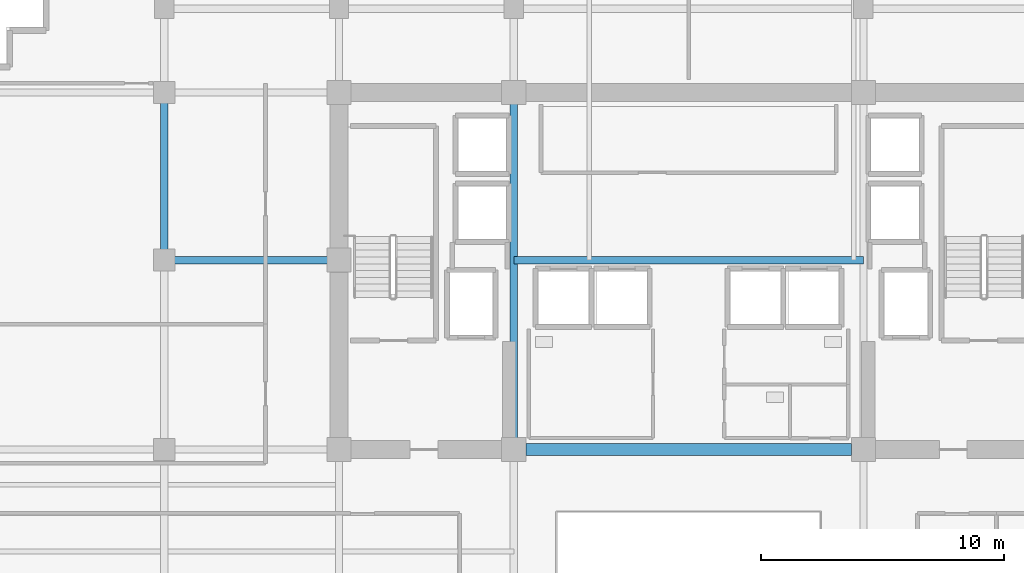
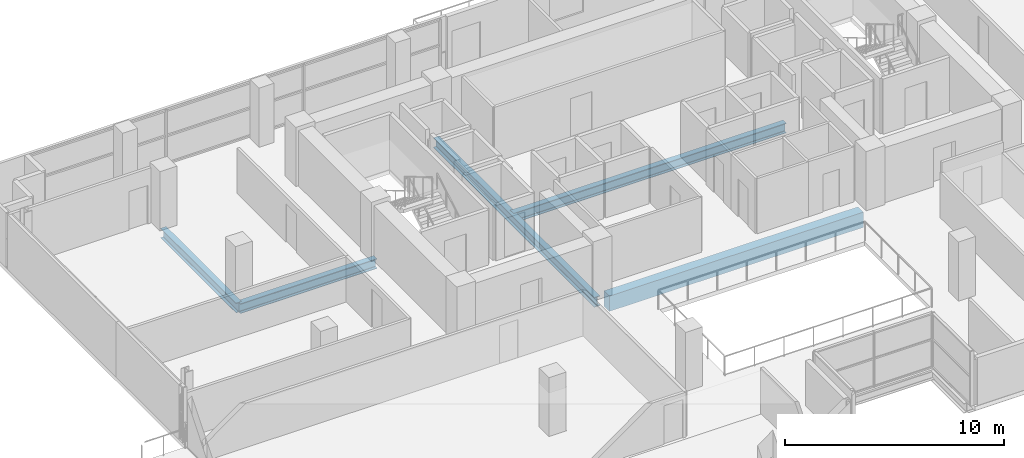
# One storey, part 9 of 28: 5 beams.
"""IFC4 building model written with IfcOpenShell, lengths in metres."""

from ifc_helpers import new_model, si_unit, direction, frame, origin, origin_2d, place, context, subcontext, project, spatial, rectangle, i_section, extrude, material, material_profile, profile_set, type_object, element, save


model = new_model("IFC4")

# Units and contexts
model_context = context("Model", 3, precision=1e-05, world=origin(), true_north=direction((0.0, 1.0)))
body_context = subcontext(model_context, "Body", "Model", "MODEL_VIEW")
ifc_project = project(units=[si_unit("LENGTHUNIT", "METRE"), si_unit("AREAUNIT", "SQUARE_METRE"), si_unit("VOLUMEUNIT", "CUBIC_METRE"), si_unit("PLANEANGLEUNIT", "RADIAN"), si_unit("MASSUNIT", "GRAM", prefix="KILO")], contexts=[model_context])

# Site, building, storey
site_placement = place(None, origin())
site = spatial("IfcSite", under=ifc_project, at=site_placement, CompositionType="ELEMENT")
building_placement = place(site_placement, origin())
building = spatial("IfcBuilding", under=site, at=building_placement, Name="Zarnakvel Exchange Tower", CompositionType="ELEMENT")
storey_placement = place(building_placement, frame((0.0, 0.0, 90.10009765625)))
storey = spatial("IfcBuildingStorey", under=building, at=storey_placement, Name="L24", CompositionType="ELEMENT", Elevation=90.10009765625)

# Beams
ifc_material_1 = material(Name="Concrete C60/75", Category="concrete")
ifc_material_profile_1 = material_profile(ifc_material_1, rectangle(XDim=0.5, YDim=0.85009765625, at=origin_2d()))
ifc_profile_set_1 = profile_set([ifc_material_profile_1], Name="Concrete C60/75")
beam_type_1 = type_object("IfcBeamType", Name="CB-02", PredefinedType="LINTEL", material=ifc_profile_set_1)
beam_1_placement = place(storey_placement, frame((-6.699951171875, -1.199951171875, -0.650146484375), z_axis=(1.0, 0.0, 0.0), x_axis=(0.0, 1.0, 0.0)))
element("IfcBeam", 1, at=beam_1_placement, inside=storey, type_object=beam_type_1, Name="L24 Rear Core South Coupling Beam (CB-02)", PredefinedType="LINTEL", context=body_context, shape_type="SweptSolid", body=[
    extrude(rectangle(XDim=0.5, YDim=0.85009765625, at=origin_2d()), origin(), (0.0, 0.0, 1.0), 13.39990234375),
])
ifc_material_2 = material(Name="Steel S355", Category="steel")
ifc_material_profile_2 = material_profile(ifc_material_2, i_section(OverallWidth=0.300048828125, OverallDepth=0.550048828125, WebThickness=0.014892578125, FlangeThickness=0.029052734375, FilletRadius=0.027099609375, at=origin_2d()))
ifc_profile_set_2 = profile_set([ifc_material_profile_2], Name="Steel S355")
beam_type_2 = type_object("IfcBeamType", Name="G-05", PredefinedType="BEAM", material=ifc_profile_set_2)
beam_2_placement = place(storey_placement, frame((-21.60009765625, 6.60009765625, -0.5), z_axis=(1.0, 0.0, 0.0), x_axis=(0.0, 1.0, 0.0)))
element("IfcBeam", 2, at=beam_2_placement, inside=storey, type_object=beam_type_2, Name="L24 Tower E-W Frame Beam", PredefinedType="BEAM", context=body_context, shape_type="SweptSolid", body=[
    extrude(i_section(OverallWidth=0.300048828125, OverallDepth=0.550048828125, WebThickness=0.014892578125, FlangeThickness=0.029052734375, FilletRadius=0.027099609375, at=origin_2d()), origin(), (0.0, 0.0, 1.0), 7.2001953125),
])
beam_3_placement = place(storey_placement, frame((-21.60009765625, 6.60009765625, -0.5), z_axis=(0.0, 1.0, 0.0), x_axis=(-1.0, 0.0, 0.0)))
element("IfcBeam", 3, at=beam_3_placement, inside=storey, type_object=beam_type_2, Name="L24 Tower N-S Frame Beam", PredefinedType="BEAM", context=body_context, shape_type="SweptSolid", body=[
    extrude(i_section(OverallWidth=0.300048828125, OverallDepth=0.550048828125, WebThickness=0.014892578125, FlangeThickness=0.029052734375, FilletRadius=0.027099609375, at=origin_2d()), origin(), (0.0, 0.0, 1.0), 6.89990234375),
])
beam_4_placement = place(storey_placement, frame((-7.199951171875, -1.199951171875, -0.5), z_axis=(0.0, 1.0, 0.0), x_axis=(-1.0, 0.0, 0.0)))
element("IfcBeam", 4, at=beam_4_placement, inside=storey, type_object=beam_type_2, Name="L24 Tower N-S Frame Beam", PredefinedType="BEAM", context=body_context, shape_type="SweptSolid", body=[
    extrude(i_section(OverallWidth=0.300048828125, OverallDepth=0.550048828125, WebThickness=0.014892578125, FlangeThickness=0.029052734375, FilletRadius=0.027099609375, at=origin_2d()), origin(), (0.0, 0.0, 1.0), 14.699951171875),
])
beam_5_placement = place(storey_placement, frame((-7.199951171875, 6.60009765625, -0.5), z_axis=(1.0, 0.0, 0.0), x_axis=(0.0, 1.0, 0.0)))
element("IfcBeam", 5, at=beam_5_placement, inside=storey, type_object=beam_type_2, Name="L24 Core Central Lobby Mid Girder", PredefinedType="BEAM", context=body_context, shape_type="SweptSolid", body=[
    extrude(i_section(OverallWidth=0.300048828125, OverallDepth=0.550048828125, WebThickness=0.014892578125, FlangeThickness=0.029052734375, FilletRadius=0.027099609375, at=origin_2d()), origin(), (0.0, 0.0, 1.0), 14.39990234375),
])

save(model, "model.ifc")
